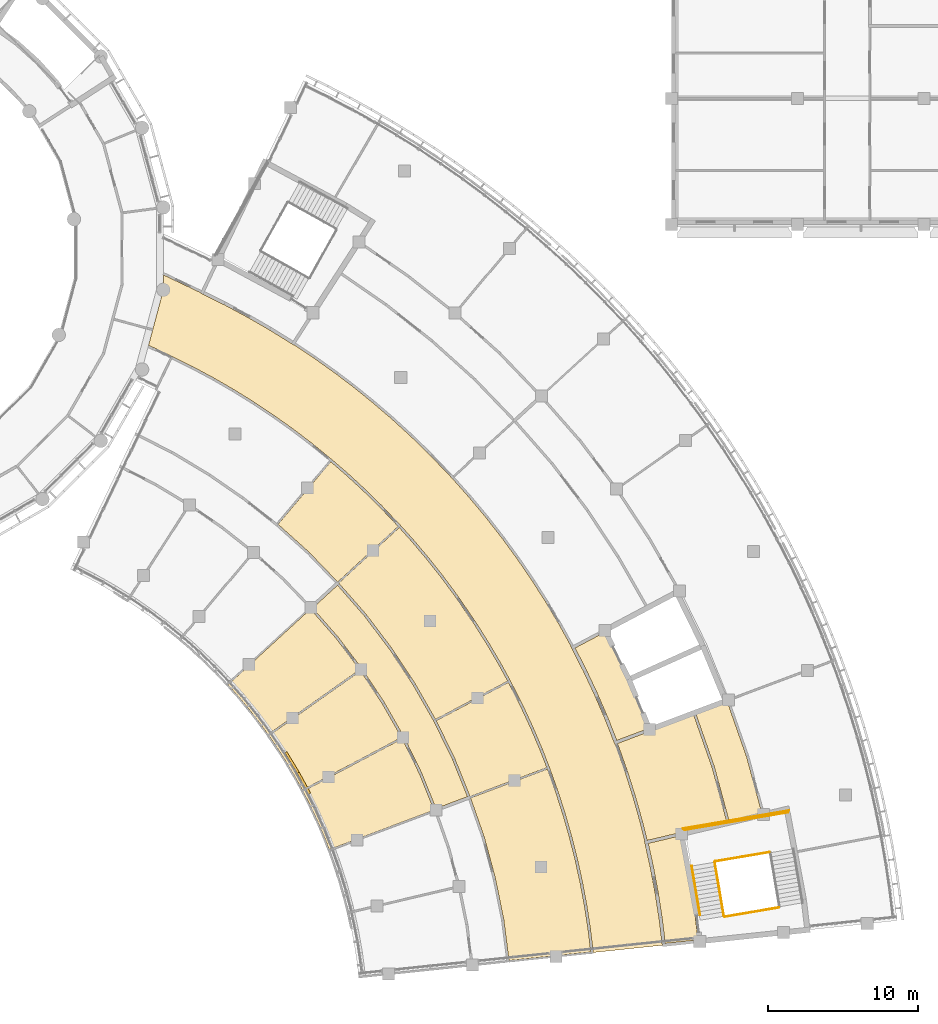
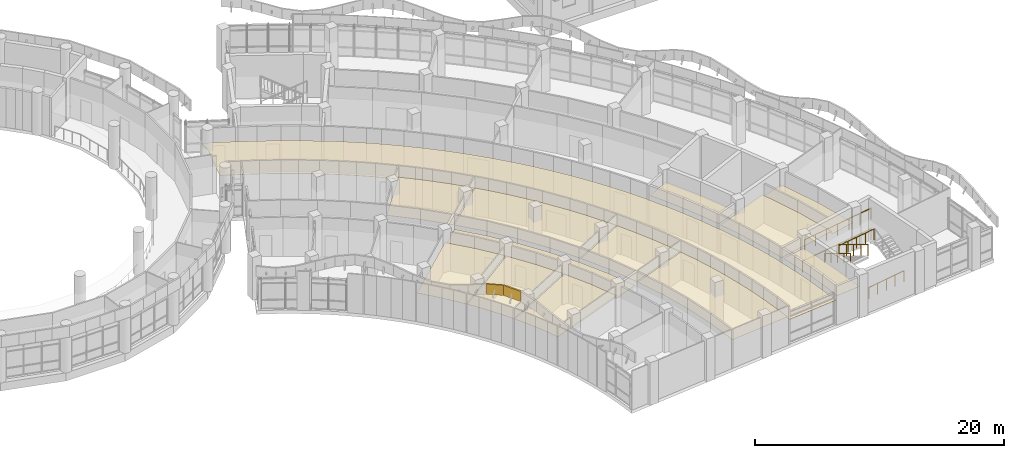
# One storey, part 94 of 109: 15 coverings, 6 railings.
"""IFC4 building model written with IfcOpenShell, lengths in metres."""

from ifc_helpers import new_model, si_unit, direction, frame, origin, origin_2d, place, context, subcontext, project, spatial, polyline, circle, outline, extrude, material, layer, layer_set, type_object, element, save


model = new_model("IFC4")

# Units and contexts
model_context = context("Model", 3, precision=1e-05, world=origin(), true_north=direction((0.0, 1.0)))
body_context = subcontext(model_context, "Body", "Model", "MODEL_VIEW")
ifc_project = project(units=[si_unit("LENGTHUNIT", "METRE"), si_unit("AREAUNIT", "SQUARE_METRE"), si_unit("VOLUMEUNIT", "CUBIC_METRE"), si_unit("PLANEANGLEUNIT", "RADIAN"), si_unit("MASSUNIT", "GRAM", prefix="KILO")], contexts=[model_context])

# Site, building, storey
site_placement = place(None, origin())
site = spatial("IfcSite", under=ifc_project, at=site_placement, CompositionType="ELEMENT")
building_placement = place(site_placement, origin())
building = spatial("IfcBuilding", under=site, at=building_placement, Name="Bougainvillea Quay General Hospital", CompositionType="ELEMENT")
storey_placement = place(building_placement, frame((0.0, 0.0, 12.60009765625)))
storey = spatial("IfcBuildingStorey", under=building, at=storey_placement, Name="L02", CompositionType="ELEMENT", Elevation=12.60009765625)

# Coverings
ifc_material_1 = material(Name="Powder-coated aluminium fascia, blue", Category="aluminium")
ifc_layer_1 = layer(ifc_material_1, 0.14990234375)
ifc_layer_set_1 = layer_set([ifc_layer_1], Name="Powder-coated aluminium fascia, blue")
covering_type_1 = type_object("IfcCoveringType", Name="Aluminium wave fascia ribbon blue 150x1000", PredefinedType="CLADDING", material=ifc_layer_set_1)
covering_1_placement = place(storey_placement, frame((138.098876953125, 40.475341796875, 4.0419921875), z_axis=(-0.127504002166, 0.209842009835, 0.969385919198), x_axis=(0.503132778937, -0.828593067841, 0.245542124053)))
element("IfcCovering", 1, at=covering_1_placement, inside=storey, type_object=covering_type_1, Name="Fascia ribbon blue a21 13", PredefinedType="CLADDING", context=body_context, shape_type="SweptSolid", body=[
    extrude(outline(polyline([(0.0, 0.0), (1.642086445297359, -1.1606384256457325e-16), (1.6455105646673893, 0.14992004518301844), (-0.0035102910981402472, 0.15003966289000847), (0.0, 0.0)])), origin(), (0.245542124053, 7.0538771e-05, 0.969385919198), 1.0),
])
covering_2_placement = place(storey_placement, frame((138.925048828125, 39.11474609375, 4.44580078125), z_axis=(0.001687807613, -0.003089060453, 0.999993804486), x_axis=(0.478709452047, -0.877966325972, -0.003520082323)))
element("IfcCovering", 2, at=covering_2_placement, inside=storey, type_object=covering_type_1, Name="Fascia ribbon blue a21 14", PredefinedType="CLADDING", context=body_context, shape_type="SweptSolid", body=[
    extrude(outline(polyline([(0.0, 0.0), (1.5917022489251866, -1.3034778267059614e-17), (1.59506866906514, 0.14999255020449098), (-0.0036284749962684493, 0.1499134989451395), (0.0, 0.0)])), origin(), (-0.003520082323, -3.075812e-06, 0.999993804486), 1.0),
])

# Railings
ifc_material_2 = material(Name="Stainless steel 304 balustrade", Category="steel")
railing_type_1 = type_object("IfcRailingType", Name="Stair guard 1100", PredefinedType="GUARDRAIL", material=ifc_material_2)
railing_1_placement = place(storey_placement, frame((170.329345703125, 33.870361328125, 2.099853515625)))
element("IfcRailing", 3, at=railing_1_placement, inside=storey, type_object=railing_type_1, Name="L02 ST-E2 stair guard 2", PredefinedType="GUARDRAIL", context=body_context, shape_type="SweptSolid", body=[
    extrude(circle(Radius=0.02392578125, at=origin_2d()), frame((0.0, 0.0, 1.076171875), z_axis=(-0.985825397362, -0.167774509137, 0.0), x_axis=(0.167774509137, -0.985825397362, 0.0)), (0.0, 0.0, 1.0), 3.658203125),
    extrude(circle(Radius=0.02099609375, at=origin_2d()), origin(), (0.0, 0.0, 1.0), 1.052001953125),
    extrude(circle(Radius=0.02099609375, at=origin_2d()), frame((-0.901611328125, -0.1533203125, 0.0)), (0.0, 0.0, 1.0), 1.052001953125),
    extrude(circle(Radius=0.02099609375, at=origin_2d()), frame((-1.80322265625, -0.306884765625, 0.0)), (0.0, 0.0, 1.0), 1.052001953125),
    extrude(circle(Radius=0.02099609375, at=origin_2d()), frame((-2.704833984375, -0.46044921875, 0.0)), (0.0, 0.0, 1.0), 1.052001953125),
    extrude(circle(Radius=0.02099609375, at=origin_2d()), frame((-3.6064453125, -0.61376953125, 0.0)), (0.0, 0.0, 1.0), 1.052001953125),
])
railing_2_placement = place(storey_placement, frame((171.55322265625, 36.51416015625, 2.099853515625)))
element("IfcRailing", 4, at=railing_2_placement, inside=storey, type_object=railing_type_1, Name="L02 ST-E2 stair guard 3", PredefinedType="GUARDRAIL", context=body_context, shape_type="SweptSolid", body=[
    extrude(circle(Radius=0.02392578125, at=origin_2d()), frame((0.0, 0.0, 1.076171875), z_axis=(-0.985829689337, -0.167749287992, 0.0), x_axis=(0.167749287992, -0.985829689337, 0.0)), (0.0, 0.0, 1.0), 6.958251953125),
    extrude(circle(Radius=0.02099609375, at=origin_2d()), origin(), (0.0, 0.0, 1.0), 1.052001953125),
    extrude(circle(Radius=0.02099609375, at=origin_2d()), frame((-1.143310546875, -0.194580078125, 0.0)), (0.0, 0.0, 1.0), 1.052001953125),
    extrude(circle(Radius=0.02099609375, at=origin_2d()), frame((-2.28662109375, -0.38916015625, 0.0)), (0.0, 0.0, 1.0), 1.052001953125),
    extrude(circle(Radius=0.02099609375, at=origin_2d()), frame((-3.4296875, -0.58349609375, 0.0)), (0.0, 0.0, 1.0), 1.052001953125),
    extrude(circle(Radius=0.02099609375, at=origin_2d()), frame((-4.572998046875, -0.778076171875, 0.0)), (0.0, 0.0, 1.0), 1.052001953125),
    extrude(circle(Radius=0.02099609375, at=origin_2d()), frame((-5.71630859375, -0.97265625, 0.0)), (0.0, 0.0, 1.0), 1.052001953125),
    extrude(circle(Radius=0.02099609375, at=origin_2d()), frame((-6.859619140625, -1.167236328125, 0.0)), (0.0, 0.0, 1.0), 1.052001953125),
])
railing_3_placement = place(storey_placement, frame((166.68212890625, 33.198974609375, 2.25)))
element("IfcRailing", 5, at=railing_3_placement, inside=storey, type_object=railing_type_1, Name="L02 ST-E2 stair guard 4", PredefinedType="GUARDRAIL", context=body_context, shape_type="SweptSolid", body=[
    extrude(circle(Radius=0.02392578125, at=origin_2d()), frame((0.0, 0.0, 1.076171875), z_axis=(0.147866971265, -0.868991900698, 0.472216513191), x_axis=(0.985829902908, 0.167748032873, 0.0)), (0.0, 0.0, 1.0), 4.12939453125),
    extrude(circle(Radius=0.02099609375, at=origin_2d()), origin(), (0.0, 0.0, 1.0), 1.052001953125),
    extrude(circle(Radius=0.02099609375, at=origin_2d()), frame((0.152587890625, -0.89697265625, 0.487548828125)), (0.0, 0.0, 1.0), 1.052001953125),
    extrude(circle(Radius=0.02099609375, at=origin_2d()), frame((0.30517578125, -1.794189453125, 0.97509765625)), (0.0, 0.0, 1.0), 1.052001953125),
    extrude(circle(Radius=0.02099609375, at=origin_2d()), frame((0.4580078125, -2.69140625, 1.46240234375)), (0.0, 0.0, 1.0), 1.052001953125),
    extrude(circle(Radius=0.02099609375, at=origin_2d()), frame((0.610595703125, -3.58837890625, 1.949951171875)), (0.0, 0.0, 1.0), 1.052001953125),
])
railing_4_placement = place(storey_placement, frame((170.95654296875, 30.183349609375, 0.0)))
element("IfcRailing", 6, at=railing_4_placement, inside=storey, type_object=railing_type_1, Name="L02 ST-E2 stair guard 5", PredefinedType="GUARDRAIL", context=body_context, shape_type="SweptSolid", body=[
    extrude(circle(Radius=0.02392578125, at=origin_2d()), frame((0.0, 0.0, 1.076171875), z_axis=(-0.98582351867, -0.167785547758, 0.0), x_axis=(0.167785547758, -0.98582351867, 0.0)), (0.0, 0.0, 1.0), 3.657958984375),
    extrude(circle(Radius=0.02099609375, at=origin_2d()), origin(), (0.0, 0.0, 1.0), 1.052001953125),
    extrude(circle(Radius=0.02099609375, at=origin_2d()), frame((-0.901611328125, -0.1533203125, 0.0)), (0.0, 0.0, 1.0), 1.052001953125),
    extrude(circle(Radius=0.02099609375, at=origin_2d()), frame((-1.80322265625, -0.306884765625, 0.0)), (0.0, 0.0, 1.0), 1.052001953125),
    extrude(circle(Radius=0.02099609375, at=origin_2d()), frame((-2.70458984375, -0.46044921875, 0.0)), (0.0, 0.0, 1.0), 1.052001953125),
    extrude(circle(Radius=0.02099609375, at=origin_2d()), frame((-3.606201171875, -0.61376953125, 0.0)), (0.0, 0.0, 1.0), 1.052001953125),
])
railing_5_placement = place(storey_placement, frame((171.635009765625, 36.62939453125, 0.0)))
element("IfcRailing", 7, at=railing_5_placement, inside=storey, type_object=railing_type_1, Name="L02 ST-E2 stair guard 6", PredefinedType="GUARDRAIL", context=body_context, shape_type="SweptSolid", body=[
    extrude(circle(Radius=0.02392578125, at=origin_2d()), frame((0.0, 0.0, 1.076171875), z_axis=(-0.98583149158, -0.167738696222, 0.0), x_axis=(0.167738696222, -0.98583149158, 0.0)), (0.0, 0.0, 1.0), 7.157958984375),
    extrude(circle(Radius=0.02099609375, at=origin_2d()), origin(), (0.0, 0.0, 1.0), 1.052001953125),
    extrude(circle(Radius=0.02099609375, at=origin_2d()), frame((-1.176025390625, -0.2001953125, 0.0)), (0.0, 0.0, 1.0), 1.052001953125),
    extrude(circle(Radius=0.02099609375, at=origin_2d()), frame((-2.352294921875, -0.400146484375, 0.0)), (0.0, 0.0, 1.0), 1.052001953125),
    extrude(circle(Radius=0.02099609375, at=origin_2d()), frame((-3.5283203125, -0.600341796875, 0.0)), (0.0, 0.0, 1.0), 1.052001953125),
    extrude(circle(Radius=0.02099609375, at=origin_2d()), frame((-4.704345703125, -0.800537109375, 0.0)), (0.0, 0.0, 1.0), 1.052001953125),
    extrude(circle(Radius=0.02099609375, at=origin_2d()), frame((-5.880615234375, -1.00048828125, 0.0)), (0.0, 0.0, 1.0), 1.052001953125),
    extrude(circle(Radius=0.02099609375, at=origin_2d()), frame((-7.056640625, -1.20068359375, 0.0)), (0.0, 0.0, 1.0), 1.052001953125),
])
ifc_material_3 = material(Name="Stainless steel 304 handrail", Category="steel")
railing_type_2 = type_object("IfcRailingType", Name="Stair handrail 900", PredefinedType="HANDRAIL", material=ifc_material_3)
railing_6_placement = place(storey_placement, frame((165.154052734375, 32.93896484375, 2.25)))
element("IfcRailing", 8, at=railing_6_placement, inside=storey, type_object=railing_type_2, Name="L02 ST-E2 stair handrail 2", PredefinedType="HANDRAIL", context=body_context, shape_type="SweptSolid", body=[
    extrude(circle(Radius=0.02392578125, at=origin_2d()), frame((0.0, 0.0, 0.8759765625), z_axis=(0.14789066488, -0.868980190418, 0.472230642698), x_axis=(0.985825083581, 0.167776352872, 0.0)), (0.0, 0.0, 1.0), 3.73583984375),
    extrude(circle(Radius=0.02099609375, at=origin_2d()), origin(), (0.0, 0.0, 1.0), 0.851806640625),
    extrude(circle(Radius=0.02099609375, at=origin_2d()), frame((0.13818359375, -0.8115234375, 0.44091796875)), (0.0, 0.0, 1.0), 0.851806640625),
    extrude(circle(Radius=0.02099609375, at=origin_2d()), frame((0.2763671875, -1.623046875, 0.882080078125)), (0.0, 0.0, 1.0), 0.851806640625),
    extrude(circle(Radius=0.02099609375, at=origin_2d()), frame((0.414306640625, -2.434814453125, 1.3232421875)), (0.0, 0.0, 1.0), 0.851806640625),
    extrude(circle(Radius=0.02099609375, at=origin_2d()), frame((0.552490234375, -3.246337890625, 1.76416015625)), (0.0, 0.0, 1.0), 0.851806640625),
])

# Coverings
ifc_material_4 = material(Name="Mineral fibre ceiling tile")
ifc_layer_2 = layer(ifc_material_4, 0.030029296875)
ifc_layer_set_2 = layer_set([ifc_layer_2], Name="Mineral fibre ceiling tile")
covering_type_2 = type_object("IfcCoveringType", Name="Suspended ceiling mineral fibre tile", PredefinedType="CEILING", material=ifc_layer_set_2)
covering_3_placement = place(storey_placement, frame((0.0, 0.0, 2.39990234375)))
element("IfcCovering", 9, at=covering_3_placement, inside=storey, type_object=covering_type_2, Name="Ceiling Outpatient Spine Corridor", PredefinedType="CEILING", context=body_context, shape_type="SweptSolid", body=[
    extrude(outline(polyline([(163.20263671875, 27.67626953125), (162.993896484375, 29.3994140625), (162.73046875, 31.111083984375), (162.412109375, 32.81396484375), (162.03955078125, 34.5068359375), (162.0166015625, 34.603271484375), (162.01806640625, 34.603515625), (162.017822265625, 34.605224609375), (162.039306640625, 34.60986328125), (161.70751953125, 35.935791015625), (161.251220703125, 37.553466796875), (160.744873046875, 39.1552734375), (160.07568359375, 41.043212890625), (160.0556640625, 41.03515625), (160.05517578125, 41.03662109375), (160.0537109375, 41.0361328125), (160.018798828125, 41.12890625), (159.382568359375, 42.74072265625), (158.69580078125, 44.331787109375), (157.958251953125, 45.89892578125), (157.170166015625, 47.44287109375), (157.123779296875, 47.530517578125), (157.125244140625, 47.53125), (157.12451171875, 47.53271484375), (157.143798828125, 47.54248046875), (156.35693359375, 48.9716796875), (155.47216796875, 50.462646484375), (154.540283203125, 51.923583984375), (153.562744140625, 53.354736328125), (152.5400390625, 54.753662109375), (151.4736328125, 56.119873046875), (150.36328125, 57.451171875), (149.2119140625, 58.74609375), (147.61376953125, 60.4140625), (146.40673828125, 61.583251953125), (145.164306640625, 62.7158203125), (143.88818359375, 63.808349609375), (142.577880859375, 64.86181640625), (141.489501953125, 65.6875), (140.079345703125, 66.6953125), (138.72265625, 67.601806640625), (138.711181640625, 67.583251953125), (138.709716796875, 67.583984375), (138.708984375, 67.582763671875), (138.62548828125, 67.636474609375), (137.153564453125, 68.55224609375), (135.654296875, 69.419677734375), (134.128173828125, 70.240234375), (132.576171875, 71.010986328125), (132.486572265625, 71.0537109375), (132.4873046875, 71.05517578125), (132.48583984375, 71.055908203125), (132.496337890625, 71.076904296875), (130.02001953125, 72.2578125), (130.02001953125, 71.259033203125), (129.012939453125, 67.5029296875), (129.04541015625, 67.57080078125), (130.5185546875, 66.867431640625), (130.519287109375, 66.868408203125), (130.653076171875, 66.803466796875), (130.652587890625, 66.80224609375), (131.917236328125, 66.174560546875), (131.91845703125, 66.176513671875), (131.9833984375, 66.1416015625), (132.049560546875, 66.10888671875), (132.048583984375, 66.106689453125), (133.29443359375, 65.4384765625), (133.295654296875, 65.4404296875), (133.359375, 65.403564453125), (133.424560546875, 65.36865234375), (133.42333984375, 65.36669921875), (134.647705078125, 64.659423828125), (134.64892578125, 64.661376953125), (134.71142578125, 64.622314453125), (134.775390625, 64.58544921875), (134.7744140625, 64.58349609375), (135.975830078125, 63.838134765625), (135.97705078125, 63.840087890625), (136.03857421875, 63.799072265625), (136.101318359375, 63.76025390625), (136.10009765625, 63.75830078125), (137.277099609375, 62.9755859375), (137.2783203125, 62.9775390625), (137.338623046875, 62.934814453125), (137.39990234375, 62.89404296875), (137.398681640625, 62.89208984375), (138.55029296875, 62.0732421875), (138.551513671875, 62.0751953125), (138.6103515625, 62.030517578125), (138.670654296875, 61.987548828125), (138.669189453125, 61.98583984375), (139.795654296875, 61.130615234375), (139.79736328125, 61.132568359375), (139.8544921875, 61.0859375), (139.9130859375, 61.041259765625), (139.91162109375, 61.039306640625), (141.15185546875, 60.027099609375), (141.1533203125, 60.02880859375), (141.209228515625, 59.98046875), (141.2666015625, 59.93359375), (141.26513671875, 59.93212890625), (142.19287109375, 59.130615234375), (142.194091796875, 59.1318359375), (142.3046875, 59.03369140625), (142.303466796875, 59.0322265625), (142.846923828125, 58.536865234375), (143.343505859375, 58.07470703125), (143.344970703125, 58.076171875), (143.451904296875, 57.973876953125), (143.45068359375, 57.972412109375), (144.460693359375, 56.983154296875), (144.462646484375, 56.985107421875), (144.513427734375, 56.931640625), (144.566162109375, 56.880126953125), (144.564208984375, 56.878173828125), (145.731201171875, 55.650634765625), (145.732666015625, 55.65185546875), (145.781982421875, 55.596923828125), (145.8330078125, 55.543212890625), (145.83154296875, 55.541748046875), (146.589111328125, 54.6982421875), (146.5908203125, 54.69970703125), (146.638671875, 54.643310546875), (146.68798828125, 54.58837890625), (146.686279296875, 54.5869140625), (147.598388671875, 53.5068359375), (147.600341796875, 53.50830078125), (147.64599609375, 53.450439453125), (147.693603515625, 53.39404296875), (147.69189453125, 53.392578125), (148.569580078125, 52.283447265625), (148.571533203125, 52.284912109375), (148.615478515625, 52.2255859375), (148.661376953125, 52.167724609375), (148.65966796875, 52.166259765625), (149.502197265625, 51.030517578125), (149.504638671875, 51.0322265625), (149.546142578125, 50.971435546875), (149.58984375, 50.912353515625), (149.587646484375, 50.91064453125), (150.80615234375, 49.1279296875), (150.80859375, 49.12939453125), (150.84765625, 49.067138671875), (150.88916015625, 49.00634765625), (150.886962890625, 49.0048828125), (151.639892578125, 47.806396484375), (151.641845703125, 47.8076171875), (151.67919921875, 47.743896484375), (151.718505859375, 47.681396484375), (151.71630859375, 47.68017578125), (152.429931640625, 46.459716796875), (152.431884765625, 46.460693359375), (152.46728515625, 46.39599609375), (152.504638671875, 46.33203125), (152.502685546875, 46.3310546875), (153.044921875, 45.3369140625), (153.046875, 45.337890625), (153.080322265625, 45.27197265625), (153.11572265625, 45.20703125), (153.11376953125, 45.2060546875), (153.882080078125, 43.694580078125), (153.884521484375, 43.695556640625), (153.91552734375, 43.62890625), (153.94873046875, 43.563232421875), (153.946533203125, 43.56201171875), (154.54248046875, 42.279541015625), (154.54443359375, 42.280517578125), (154.573486328125, 42.212646484375), (154.604736328125, 42.1455078125), (154.6025390625, 42.14453125), (155.157470703125, 40.84423828125), (155.159423828125, 40.84521484375), (155.1865234375, 40.7763671875), (155.21533203125, 40.70849609375), (155.21337890625, 40.70751953125), (155.659423828125, 39.567138671875), (155.661376953125, 39.56787109375), (155.686279296875, 39.498291015625), (155.713134765625, 39.429443359375), (155.711181640625, 39.4287109375), (156.251220703125, 37.91943359375), (156.253662109375, 37.920166015625), (156.276123046875, 37.85009765625), (156.30078125, 37.78076171875), (156.298583984375, 37.77978515625), (156.728271484375, 36.43310546875), (156.73046875, 36.43359375), (156.750732421875, 36.36279296875), (156.773193359375, 36.292236328125), (156.77099609375, 36.291748046875), (157.1591796875, 34.932373046875), (157.161376953125, 34.93310546875), (157.179443359375, 34.861328125), (157.19970703125, 34.79052734375), (157.197509765625, 34.789794921875), (157.5419921875, 33.418701171875), (157.544189453125, 33.419189453125), (157.56005859375, 33.34716796875), (157.578125, 33.275634765625), (157.57568359375, 33.27490234375), (157.877685546875, 31.89404296875), (157.880126953125, 31.89453125), (157.8935546875, 31.82177734375), (157.9091796875, 31.749755859375), (157.906982421875, 31.749267578125), (158.16455078125, 30.360107421875), (158.166748046875, 30.360595703125), (158.177978515625, 30.28759765625), (158.19140625, 30.21484375), (158.189208984375, 30.214599609375), (158.403076171875, 28.817138671875), (158.405517578125, 28.817626953125), (158.414306640625, 28.744140625), (158.425537109375, 28.671142578125), (158.42333984375, 28.6708984375), (158.603271484375, 27.192138671875), (163.20263671875, 27.67626953125)])), origin(), (0.0, 0.0, 1.0), 0.030029296875),
])
covering_4_placement = place(storey_placement, frame((0.0, 0.0, 2.699951171875)))
element("IfcCovering", 10, at=covering_4_placement, inside=storey, type_object=covering_type_2, Name="Ceiling Lift Lobby LB-E1", PredefinedType="CEILING", context=body_context, shape_type="SweptSolid", body=[
    extrude(outline(polyline([(159.424560546875, 48.52392578125), (157.392822265625, 47.44677734375), (158.093017578125, 46.07470703125), (158.095947265625, 46.076171875), (158.1376953125, 45.987060546875), (158.1826171875, 45.8994140625), (158.1796875, 45.89794921875), (158.836181640625, 44.503173828125), (158.839111328125, 44.50439453125), (158.878173828125, 44.4140625), (158.920166015625, 44.3251953125), (158.917236328125, 44.32373046875), (159.5283203125, 42.907470703125), (159.53125, 42.90869140625), (159.5673828125, 42.817138671875), (159.6064453125, 42.726806640625), (159.603515625, 42.7255859375), (160.1689453125, 41.293212890625), (162.3212890625, 42.10400390625), (161.693115234375, 43.696044921875), (160.97412109375, 45.360107421875), (160.202880859375, 46.9990234375), (159.424560546875, 48.52392578125)])), origin(), (0.0, 0.0, 1.0), 0.030029296875),
])
covering_5_placement = place(storey_placement, frame((0.0, 0.0, 2.699951171875)))
element("IfcCovering", 11, at=covering_5_placement, inside=storey, type_object=covering_type_2, Name="Ceiling Smoke-proof Vestibule ST-E2", PredefinedType="CEILING", context=body_context, shape_type="SweptSolid", body=[
    extrude(outline(polyline([(162.255859375, 34.454345703125), (162.5869140625, 32.9501953125), (162.58984375, 32.95068359375), (162.60791015625, 32.85400390625), (162.629150390625, 32.7578125), (162.626220703125, 32.757080078125), (162.909423828125, 31.241455078125), (162.91259765625, 31.241943359375), (162.927490234375, 31.144775390625), (162.945556640625, 31.048095703125), (162.942626953125, 31.047607421875), (163.177001953125, 29.52392578125), (163.18017578125, 29.5244140625), (163.192138671875, 29.426513671875), (163.20703125, 29.329345703125), (163.203857421875, 29.328857421875), (163.389404296875, 27.7998046875), (165.576416015625, 28.02978515625), (165.370849609375, 29.726318359375), (165.096435546875, 31.51416015625), (164.763916015625, 33.2919921875), (164.397216796875, 34.961181640625), (162.255859375, 34.454345703125)])), origin(), (0.0, 0.0, 1.0), 0.030029296875),
])
covering_6_placement = place(storey_placement, frame((0.0, 0.0, 2.39990234375)))
element("IfcCovering", 12, at=covering_6_placement, inside=storey, type_object=covering_type_2, Name="Ceiling Clinic Corridor 02E1", PredefinedType="CEILING", context=body_context, shape_type="SweptSolid", body=[
    extrude(outline(polyline([(165.322021484375, 43.1259765625), (165.392822265625, 43.15087890625), (166.634765625, 39.604736328125), (166.639892578125, 39.60595703125), (166.65869140625, 39.5361328125), (166.6826171875, 39.468017578125), (166.677734375, 39.46630859375), (167.64697265625, 35.884521484375), (169.8359375, 36.403076171875), (168.810302734375, 40.19287109375), (167.52978515625, 43.850341796875), (167.447021484375, 43.8193359375), (167.412109375, 43.91259765625), (165.322021484375, 43.1259765625)])), origin(), (0.0, 0.0, 1.0), 0.030029296875),
])
covering_7_placement = place(storey_placement, frame((0.0, 0.0, 2.699951171875)))
element("IfcCovering", 13, at=covering_7_placement, inside=storey, type_object=covering_type_2, Name="Ceiling Pulmonary Rehabilitation Waiting Hall 02E101", PredefinedType="CEILING", context=body_context, shape_type="SweptSolid", body=[
    extrude(outline(polyline([(162.358154296875, 42.010498046875), (162.393310546875, 41.91748046875), (160.215576171875, 41.09716796875), (160.862548828125, 39.2724609375), (160.864990234375, 39.273193359375), (160.88720703125, 39.202880859375), (160.911865234375, 39.13330078125), (160.909423828125, 39.132568359375), (161.37255859375, 37.6669921875), (161.374755859375, 37.66748046875), (161.394775390625, 37.596435546875), (161.417236328125, 37.526123046875), (161.4150390625, 37.525390625), (161.83251953125, 36.04541015625), (161.83447265625, 36.0458984375), (161.8525390625, 35.974365234375), (161.87255859375, 35.903076171875), (161.870361328125, 35.902587890625), (162.185791015625, 34.643310546875), (164.354248046875, 35.15673828125), (164.353759765625, 35.158203125), (164.54736328125, 35.202392578125), (164.547607421875, 35.20068359375), (164.54931640625, 35.201171875), (164.5595703125, 35.15380859375), (167.5009765625, 35.85009765625), (166.515380859375, 39.49169921875), (165.251708984375, 43.099609375), (162.358154296875, 42.010498046875)])), origin(), (0.0, 0.0, 1.0), 0.030029296875),
])
covering_8_placement = place(storey_placement, frame((0.0, 0.0, 2.699951171875)))
element("IfcCovering", 14, at=covering_8_placement, inside=storey, type_object=covering_type_2, Name="Ceiling Echo Consulting Room 02E102", PredefinedType="CEILING", context=body_context, shape_type="SweptSolid", body=[
    extrude(outline(polyline([(139.745361328125, 53.769775390625), (141.574951171875, 51.868896484375), (141.57958984375, 51.87060546875), (141.611328125, 51.83447265625), (145.63720703125, 55.531494140625), (144.406494140625, 56.826416015625), (143.294189453125, 57.915771484375), (142.690185546875, 58.476806640625), (142.149169921875, 58.969970703125), (141.150390625, 59.8330078125), (137.6435546875, 55.67138671875), (137.661376953125, 55.657470703125), (137.658447265625, 55.65380859375), (139.641357421875, 53.870361328125), (139.64501953125, 53.8740234375), (139.695068359375, 53.822021484375), (139.7490234375, 53.773681640625), (139.745361328125, 53.769775390625)])), origin(), (0.0, 0.0, 1.0), 0.030029296875),
])
covering_9_placement = place(storey_placement, frame((0.0, 0.0, 2.39990234375)))
element("IfcCovering", 15, at=covering_9_placement, inside=storey, type_object=covering_type_2, Name="Ceiling Clinic Corridor 02E1", PredefinedType="CEILING", context=body_context, shape_type="SweptSolid", body=[
    extrude(outline(polyline([(143.380859375, 49.587646484375), (141.599609375, 51.6201171875), (139.943115234375, 50.0986328125), (141.58154296875, 48.22998046875), (141.585693359375, 48.233154296875), (141.629150390625, 48.17529296875), (141.6767578125, 48.12109375), (141.6728515625, 48.11767578125), (143.1884765625, 46.111328125), (143.1923828125, 46.114013671875), (143.232177734375, 46.05322265625), (143.276123046875, 45.995361328125), (143.2724609375, 45.99267578125), (144.65673828125, 43.89501953125), (144.660888671875, 43.8974609375), (144.697021484375, 43.834228515625), (144.73681640625, 43.773681640625), (144.733154296875, 43.771240234375), (145.981201171875, 41.59033203125), (145.9853515625, 41.59228515625), (146.017333984375, 41.527099609375), (146.053466796875, 41.464111328125), (146.04931640625, 41.4619140625), (147.15576171875, 39.20361328125), (147.160400390625, 39.20556640625), (147.1875, 39.138671875), (147.21923828125, 39.07373046875), (147.214599609375, 39.0712890625), (148.143798828125, 36.76611328125), (150.248291015625, 37.558349609375), (149.238525390625, 40.064453125), (148.004638671875, 42.580810546875), (146.614013671875, 45.013671875), (145.06982421875, 47.352783203125), (143.380859375, 49.587646484375)])), origin(), (0.0, 0.0, 1.0), 0.030029296875),
])
covering_10_placement = place(storey_placement, frame((0.0, 0.0, 2.699951171875)))
element("IfcCovering", 16, at=covering_10_placement, inside=storey, type_object=covering_type_2, Name="Ceiling Breast Care Waiting Hall 02E101", PredefinedType="CEILING", context=body_context, shape_type="SweptSolid", body=[
    extrude(outline(polyline([(141.678955078125, 51.7607421875), (141.71240234375, 51.72607421875), (141.710205078125, 51.721435546875), (143.449462890625, 49.73681640625), (143.45361328125, 49.739990234375), (143.497314453125, 49.682373046875), (143.544921875, 49.6279296875), (143.540771484375, 49.62451171875), (145.1484375, 47.497314453125), (145.15234375, 47.5), (145.1923828125, 47.439208984375), (145.236083984375, 47.38134765625), (145.232421875, 47.378662109375), (146.701904296875, 45.153076171875), (146.705810546875, 45.1552734375), (146.741943359375, 45.09228515625), (146.781982421875, 45.03173828125), (146.778076171875, 45.029052734375), (148.10107421875, 42.71435546875), (148.105224609375, 42.71630859375), (148.115234375, 42.696044921875), (152.923828125, 45.245849609375), (152.336669921875, 46.322021484375), (151.55078125, 47.666015625), (150.72216796875, 48.98486328125), (149.423828125, 50.884521484375), (148.49658203125, 52.13427734375), (147.530029296875, 53.35546875), (146.525390625, 54.544677734375), (145.705078125, 55.4580078125), (141.678955078125, 51.7607421875)])), origin(), (0.0, 0.0, 1.0), 0.030029296875),
])
covering_11_placement = place(storey_placement, frame((0.0, 0.0, 2.699951171875)))
element("IfcCovering", 17, at=covering_11_placement, inside=storey, type_object=covering_type_2, Name="Ceiling Breast Care Consulting Room 02E102", PredefinedType="CEILING", context=body_context, shape_type="SweptSolid", body=[
    extrude(outline(polyline([(149.34375, 40.190673828125), (149.3486328125, 40.192626953125), (149.37548828125, 40.12548828125), (149.407470703125, 40.060791015625), (149.402587890625, 40.058349609375), (150.388916015625, 37.611083984375), (150.393798828125, 37.611083984375), (150.40966796875, 37.565673828125), (155.527587890625, 39.4921875), (155.047607421875, 40.7197265625), (154.4365234375, 42.1513671875), (153.780517578125, 43.563232421875), (152.970458984375, 45.1572265625), (148.162109375, 42.607666015625), (148.17333984375, 42.588134765625), (148.16943359375, 42.5859375), (149.34375, 40.190673828125)])), origin(), (0.0, 0.0, 1.0), 0.030029296875),
])
covering_12_placement = place(storey_placement, frame((0.0, 0.0, 2.699951171875)))
element("IfcCovering", 18, at=covering_12_placement, inside=storey, type_object=covering_type_2, Name="Ceiling Breast Care Consulting Room 02E111", PredefinedType="CEILING", context=body_context, shape_type="SweptSolid", body=[
    extrude(outline(polyline([(135.03369140625, 44.183837890625), (135.032470703125, 44.182861328125), (135.664306640625, 43.42333984375), (135.66552734375, 43.424072265625), (135.727294921875, 43.34765625), (135.726318359375, 43.3466796875), (136.33447265625, 42.56884765625), (136.3359375, 42.56982421875), (136.395263671875, 42.491455078125), (136.393798828125, 42.490478515625), (136.976318359375, 41.693359375), (143.07958984375, 46.006591796875), (141.5126953125, 48.08056640625), (139.7998046875, 50.03466796875), (134.31201171875, 44.994384765625), (134.96826171875, 44.25732421875), (134.969482421875, 44.25830078125), (135.03369140625, 44.183837890625)])), origin(), (0.0, 0.0, 1.0), 0.030029296875),
])
covering_13_placement = place(storey_placement, frame((0.0, 0.0, 2.699951171875)))
element("IfcCovering", 19, at=covering_13_placement, inside=storey, type_object=covering_type_2, Name="Ceiling Breast Care Examination Room 02E112", PredefinedType="CEILING", context=body_context, shape_type="SweptSolid", body=[
    extrude(outline(polyline([(138.731201171875, 38.9482421875), (138.732666015625, 38.948974609375), (138.781494140625, 38.863525390625), (138.7802734375, 38.86279296875), (139.257080078125, 37.998291015625), (145.85986328125, 41.500244140625), (144.569091796875, 43.755615234375), (143.13720703125, 45.925048828125), (137.033935546875, 41.611572265625), (137.591064453125, 40.796142578125), (137.59228515625, 40.797119140625), (137.646484375, 40.71484375), (137.645263671875, 40.714111328125), (138.176025390625, 39.880615234375), (138.177490234375, 39.881591796875), (138.22900390625, 39.797607421875), (138.227783203125, 39.796875), (138.731201171875, 38.9482421875)])), origin(), (0.0, 0.0, 1.0), 0.030029296875),
])
covering_14_placement = place(storey_placement, frame((0.0, 0.0, 2.699951171875)))
element("IfcCovering", 20, at=covering_14_placement, inside=storey, type_object=covering_type_2, Name="Ceiling Breast Care Treatment Room 02E113", PredefinedType="CEILING", context=body_context, shape_type="SweptSolid", body=[
    extrude(outline(polyline([(139.75244140625, 37.02978515625), (139.75390625, 37.030517578125), (139.79736328125, 36.942138671875), (139.7958984375, 36.94140625), (140.216552734375, 36.048095703125), (140.218017578125, 36.048828125), (140.258544921875, 35.958984375), (140.257080078125, 35.95849609375), (140.648681640625, 35.05126953125), (140.650146484375, 35.0517578125), (140.687744140625, 34.9609375), (140.686279296875, 34.960205078125), (141.04833984375, 34.042236328125), (148.02197265625, 36.6669921875), (147.050537109375, 39.077392578125), (145.90673828125, 41.411865234375), (139.303955078125, 37.909912109375), (139.75244140625, 37.02978515625)])), origin(), (0.0, 0.0, 1.0), 0.030029296875),
])
covering_15_placement = place(storey_placement, frame((0.0, 0.0, 2.699951171875)))
element("IfcCovering", 21, at=covering_15_placement, inside=storey, type_object=covering_type_2, Name="Ceiling Fertility Waiting Hall 02E101", PredefinedType="CEILING", context=body_context, shape_type="SweptSolid", body=[
    extrude(outline(polyline([(157.03466796875, 34.822509765625), (156.607177734375, 36.3193359375), (156.134033203125, 37.802001953125), (155.562744140625, 39.3984375), (150.44482421875, 37.471923828125), (150.462890625, 37.42724609375), (150.459228515625, 37.424072265625), (151.331787109375, 34.9345703125), (151.3369140625, 34.93603515625), (151.355712890625, 34.8662109375), (151.379638671875, 34.798095703125), (151.37451171875, 34.79638671875), (152.071044921875, 32.221435546875), (152.07568359375, 32.222412109375), (152.090087890625, 32.1513671875), (152.10888671875, 32.081298828125), (152.1044921875, 32.080078125), (152.635498046875, 29.46630859375), (152.640869140625, 29.467041015625), (152.650146484375, 29.395263671875), (152.66455078125, 29.324462890625), (152.6591796875, 29.323486328125), (153.002197265625, 26.657470703125), (158.447265625, 27.229736328125), (158.265625, 28.723876953125), (158.030029296875, 30.262451171875), (157.74658203125, 31.792236328125), (157.4140625, 33.312744140625), (157.03466796875, 34.822509765625)])), origin(), (0.0, 0.0, 1.0), 0.030029296875),
])

save(model, "model.ifc")
